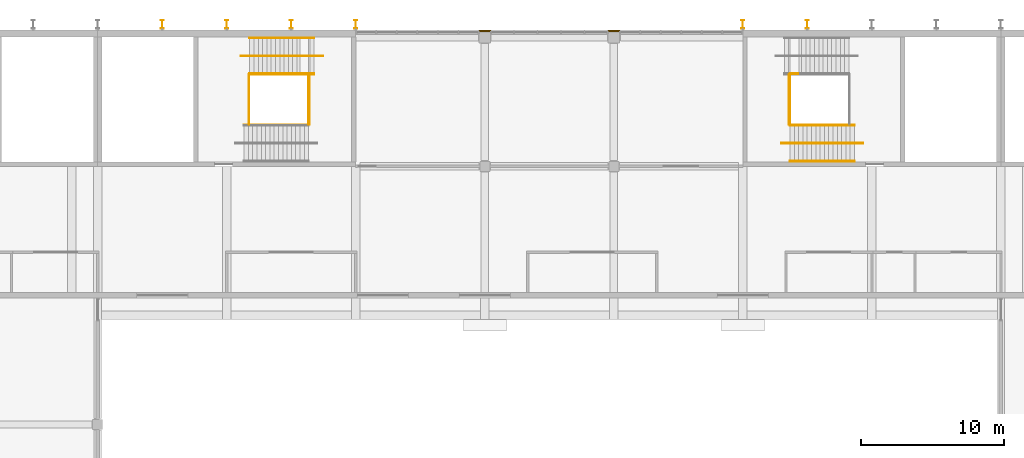
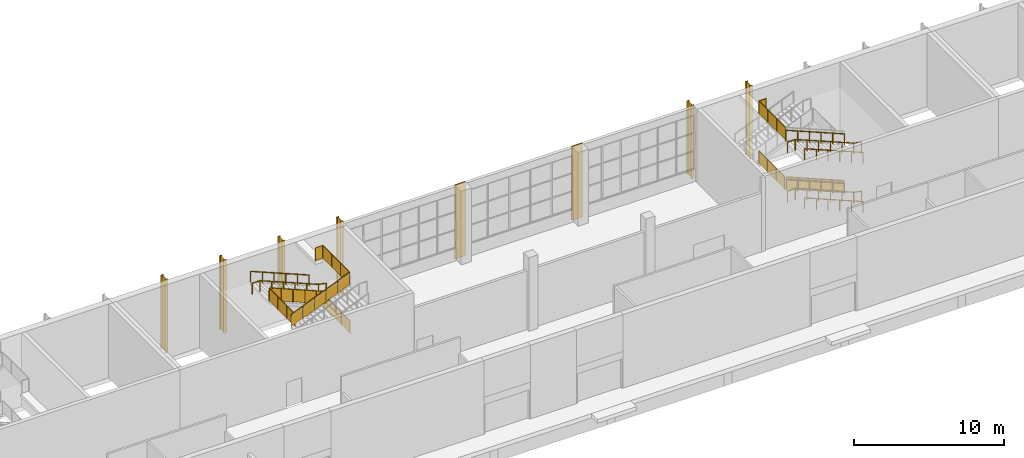
# One storey, part 86 of 89: 17 railings, 6 shading devices, 2 coverings.
"""IFC4 building model written with IfcOpenShell, lengths in metres."""

from ifc_helpers import new_model, si_unit, direction, frame, origin, origin_2d, place, context, subcontext, project, spatial, polyline, circle, i_section, outline, extrude, material, layer, layer_set, material_profile, profile_set, type_object, element, save


model = new_model("IFC4")

# Units and contexts
model_context = context("Model", 3, precision=1e-05, world=origin(), true_north=direction((0.0, 1.0)))
body_context = subcontext(model_context, "Body", "Model", "MODEL_VIEW")
ifc_project = project(units=[si_unit("LENGTHUNIT", "METRE"), si_unit("AREAUNIT", "SQUARE_METRE"), si_unit("VOLUMEUNIT", "CUBIC_METRE"), si_unit("PLANEANGLEUNIT", "RADIAN"), si_unit("MASSUNIT", "GRAM", prefix="KILO")], contexts=[model_context])

# Site, building, storey
site_placement = place(None, origin())
site = spatial("IfcSite", under=ifc_project, at=site_placement, CompositionType="ELEMENT")
building_placement = place(site_placement, origin())
building = spatial("IfcBuilding", under=site, at=building_placement, Name="Silverbay Arena", CompositionType="ELEMENT")
storey_placement = place(building_placement, frame((0.0, 0.0, 22.0)))
storey = spatial("IfcBuildingStorey", under=building, at=storey_placement, Name="L03", CompositionType="ELEMENT", Elevation=22.0)

# Coverings
ifc_material_1 = material(Name="Aluminium composite cladding", Category="aluminium")
ifc_layer = layer(ifc_material_1, 0.10009765625)
ifc_layer_set = layer_set([ifc_layer], Name="Aluminium composite cladding")
covering_type = type_object("IfcCoveringType", Name="Column cladding 100", PredefinedType="CLADDING", material=ifc_layer_set)
covering_1_placement = place(storey_placement, origin())
element("IfcCovering", 1, at=covering_1_placement, inside=storey, type_object=covering_type, Name="North column cladding L03 2", PredefinedType="CLADDING", context=body_context, shape_type="SweptSolid", body=[
    extrude(outline(polyline([(125.60009765625, 144.39990234375), (126.39990234375, 144.39990234375), (126.39990234375, 144.5), (125.60009765625, 144.5), (125.60009765625, 144.39990234375)])), origin(), (0.0, 0.0, 1.0), 6.0),
])
covering_2_placement = place(storey_placement, origin())
element("IfcCovering", 2, at=covering_2_placement, inside=storey, type_object=covering_type, Name="North column cladding L03 4", PredefinedType="CLADDING", context=body_context, shape_type="SweptSolid", body=[
    extrude(outline(polyline([(134.60009765625, 144.39990234375), (135.39990234375, 144.39990234375), (135.39990234375, 144.5), (134.60009765625, 144.5), (134.60009765625, 144.39990234375)])), origin(), (0.0, 0.0, 1.0), 6.0),
])

# Railings
ifc_material_2 = material(Name="Stainless steel", Category="steel")
railing_type_1 = type_object("IfcRailingType", Name="Stair guard 1100", PredefinedType="GUARDRAIL", material=ifc_material_2)
railing_1_placement = place(storey_placement, frame((114.10009765625, 141.425048828125, 2.125)))
element("IfcRailing", 3, at=railing_1_placement, inside=storey, type_object=railing_type_1, Name="Stair ST-N2 L03 to L04 flight 2 guard left", PredefinedType="GUARDRAIL", context=body_context, shape_type="SweptSolid", body=[
    extrude(circle(Radius=0.02392578125, at=origin_2d()), frame((0.0, 0.0, 1.076171875), z_axis=(-0.923076923077, 0.0, 0.384615384615), x_axis=(0.0, -1.0, 0.0)), (0.0, 0.0, 1.0), 4.875),
    extrude(outline(polyline([(-0.008056640625, 0.046630859375), (0.907958984375, 0.42822265625), (0.907958984375, 1.431396484375), (-0.008056640625, 1.049560546875), (-0.008056640625, 0.046630859375)])), frame((0.0, -0.0029296875, 0.0), z_axis=(0.0, 1.0, 0.0), x_axis=(-1.0, 0.0, 0.0)), (0.0, 0.0, 1.0), 0.006103515625),
    extrude(outline(polyline([(-0.008056640625, 0.421630859375), (0.907958984375, 0.80322265625), (0.907958984375, 1.806396484375), (-0.008056640625, 1.424560546875), (-0.008056640625, 0.421630859375)])), frame((-0.89990234375, -0.0029296875, 0.0), z_axis=(0.0, 1.0, 0.0), x_axis=(-1.0, 0.0, 0.0)), (0.0, 0.0, 1.0), 0.006103515625),
    extrude(outline(polyline([(-0.008056640625, 0.796630859375), (0.907958984375, 1.17822265625), (0.907958984375, 2.181396484375), (-0.008056640625, 1.799560546875), (-0.008056640625, 0.796630859375)])), frame((-1.800048828125, -0.0029296875, 0.0), z_axis=(0.0, 1.0, 0.0), x_axis=(-1.0, 0.0, 0.0)), (0.0, 0.0, 1.0), 0.006103515625),
    extrude(outline(polyline([(-0.008056640625, 1.171630859375), (0.907958984375, 1.55322265625), (0.907958984375, 2.556396484375), (-0.008056640625, 2.174560546875), (-0.008056640625, 1.171630859375)])), frame((-2.699951171875, -0.0029296875, 0.0), z_axis=(0.0, 1.0, 0.0), x_axis=(-1.0, 0.0, 0.0)), (0.0, 0.0, 1.0), 0.006103515625),
    extrude(outline(polyline([(-0.008056640625, 1.546630859375), (0.907958984375, 1.92822265625), (0.907958984375, 2.931396484375), (-0.008056640625, 2.549560546875), (-0.008056640625, 1.546630859375)])), frame((-3.60009765625, -0.0029296875, 0.0), z_axis=(0.0, 1.0, 0.0), x_axis=(-1.0, 0.0, 0.0)), (0.0, 0.0, 1.0), 0.006103515625),
    extrude(circle(Radius=0.02099609375, at=origin_2d()), origin(), (0.0, 0.0, 1.0), 1.052001953125),
    extrude(circle(Radius=0.02099609375, at=origin_2d()), frame((-0.89990234375, 0.0, 0.375)), (0.0, 0.0, 1.0), 1.052001953125),
    extrude(circle(Radius=0.02099609375, at=origin_2d()), frame((-1.800048828125, 0.0, 0.75)), (0.0, 0.0, 1.0), 1.052001953125),
    extrude(circle(Radius=0.02099609375, at=origin_2d()), frame((-2.699951171875, 0.0, 1.125)), (0.0, 0.0, 1.0), 1.052001953125),
    extrude(circle(Radius=0.02099609375, at=origin_2d()), frame((-3.60009765625, 0.0, 1.5)), (0.0, 0.0, 1.0), 1.052001953125),
    extrude(circle(Radius=0.02099609375, at=origin_2d()), frame((-4.5, 0.0, 1.875)), (0.0, 0.0, 1.0), 1.052001953125),
])
railing_2_placement = place(storey_placement, frame((109.2099609375, 137.875, 4.125)))
element("IfcRailing", 4, at=railing_2_placement, inside=storey, type_object=railing_type_1, Name="Stair ST-N2 L03 to L04 flight 3 guard right", PredefinedType="GUARDRAIL", context=body_context, shape_type="SweptSolid", body=[
    extrude(circle(Radius=0.02392578125, at=origin_2d()), frame((0.0, 0.0, 1.076171875), z_axis=(0.923076923077, 0.0, 0.384615384615), x_axis=(0.0, 1.0, 0.0)), (0.0, 0.0, 1.0), 4.875),
    extrude(outline(polyline([(-0.008056640625, 0.046630859375), (0.907958984375, 0.42822265625), (0.907958984375, 1.431396484375), (-0.008056640625, 1.049560546875), (-0.008056640625, 0.046630859375)])), frame((0.0, 0.0029296875, 0.0), z_axis=(0.0, -1.0, 0.0), x_axis=(1.0, 0.0, 0.0)), (0.0, 0.0, 1.0), 0.006103515625),
    extrude(outline(polyline([(-0.008056640625, 0.421630859375), (0.907958984375, 0.80322265625), (0.907958984375, 1.806396484375), (-0.008056640625, 1.424560546875), (-0.008056640625, 0.421630859375)])), frame((0.89990234375, 0.0029296875, 0.0), z_axis=(0.0, -1.0, 0.0), x_axis=(1.0, 0.0, 0.0)), (0.0, 0.0, 1.0), 0.006103515625),
    extrude(outline(polyline([(-0.008056640625, 0.796630859375), (0.907958984375, 1.17822265625), (0.907958984375, 2.181396484375), (-0.008056640625, 1.799560546875), (-0.008056640625, 0.796630859375)])), frame((1.800048828125, 0.0029296875, 0.0), z_axis=(0.0, -1.0, 0.0), x_axis=(1.0, 0.0, 0.0)), (0.0, 0.0, 1.0), 0.006103515625),
    extrude(outline(polyline([(-0.008056640625, 1.171630859375), (0.907958984375, 1.55322265625), (0.907958984375, 2.556396484375), (-0.008056640625, 2.174560546875), (-0.008056640625, 1.171630859375)])), frame((2.699951171875, 0.0029296875, 0.0), z_axis=(0.0, -1.0, 0.0), x_axis=(1.0, 0.0, 0.0)), (0.0, 0.0, 1.0), 0.006103515625),
    extrude(outline(polyline([(-0.008056640625, 1.546630859375), (0.907958984375, 1.92822265625), (0.907958984375, 2.931396484375), (-0.008056640625, 2.549560546875), (-0.008056640625, 1.546630859375)])), frame((3.60009765625, 0.0029296875, 0.0), z_axis=(0.0, -1.0, 0.0), x_axis=(1.0, 0.0, 0.0)), (0.0, 0.0, 1.0), 0.006103515625),
    extrude(circle(Radius=0.02099609375, at=origin_2d()), origin(), (0.0, 0.0, 1.0), 1.052001953125),
    extrude(circle(Radius=0.02099609375, at=origin_2d()), frame((0.89990234375, 0.0, 0.375)), (0.0, 0.0, 1.0), 1.052001953125),
    extrude(circle(Radius=0.02099609375, at=origin_2d()), frame((1.800048828125, 0.0, 0.75)), (0.0, 0.0, 1.0), 1.052001953125),
    extrude(circle(Radius=0.02099609375, at=origin_2d()), frame((2.699951171875, 0.0, 1.125)), (0.0, 0.0, 1.0), 1.052001953125),
    extrude(circle(Radius=0.02099609375, at=origin_2d()), frame((3.60009765625, 0.0, 1.5)), (0.0, 0.0, 1.0), 1.052001953125),
    extrude(circle(Radius=0.02099609375, at=origin_2d()), frame((4.5, 0.0, 1.875)), (0.0, 0.0, 1.0), 1.052001953125),
])
for number, where, name in (
    (5, (113.760009765625, 137.89990234375, 2.0), "Stair ST-N2 L03 to L04 landing 1 guard"),
    (6, (109.550048828125, 137.89990234375, 4.0), "Stair ST-N2 L03 to L04 landing 2 guard"),
):
    element("IfcRailing", number, at=place(storey_placement, frame(where)), inside=storey, type_object=railing_type_1, Name=name, PredefinedType="GUARDRAIL", context=body_context, shape_type="SweptSolid", body=[
        extrude(circle(Radius=0.02392578125, at=origin_2d()), frame((0.0, 0.0, 1.076171875), z_axis=(0.0, 1.0, 0.0), x_axis=(-1.0, 0.0, 0.0)), (0.0, 0.0, 1.0), 3.5),
        extrude(outline(polyline([(-0.008056640625, 0.050048828125), (1.174560546875, 0.050048828125), (1.174560546875, 1.052978515625), (-0.008056640625, 1.052978515625), (-0.008056640625, 0.050048828125)])), frame((-0.0029296875, 0.0, 0.0), z_axis=(1.0, 0.0, 0.0), x_axis=(0.0, 1.0, 0.0)), (0.0, 0.0, 1.0), 0.006103515625),
        extrude(outline(polyline([(-0.008056640625, 0.050048828125), (1.174560546875, 0.050048828125), (1.174560546875, 1.052978515625), (-0.008056640625, 1.052978515625), (-0.008056640625, 0.050048828125)])), frame((-0.0029296875, 1.166748046875, 0.0), z_axis=(1.0, 0.0, 0.0), x_axis=(0.0, 1.0, 0.0)), (0.0, 0.0, 1.0), 0.006103515625),
        extrude(outline(polyline([(-0.008056640625, 0.050048828125), (1.174560546875, 0.050048828125), (1.174560546875, 1.052978515625), (-0.008056640625, 1.052978515625), (-0.008056640625, 0.050048828125)])), frame((-0.0029296875, 2.333251953125, 0.0), z_axis=(1.0, 0.0, 0.0), x_axis=(0.0, 1.0, 0.0)), (0.0, 0.0, 1.0), 0.006103515625),
        extrude(circle(Radius=0.02099609375, at=origin_2d()), origin(), (0.0, 0.0, 1.0), 1.052001953125),
        extrude(circle(Radius=0.02099609375, at=origin_2d()), frame((0.0, 1.166748046875, 0.0)), (0.0, 0.0, 1.0), 1.052001953125),
        extrude(circle(Radius=0.02099609375, at=origin_2d()), frame((0.0, 2.333251953125, 0.0)), (0.0, 0.0, 1.0), 1.052001953125),
        extrude(circle(Radius=0.02099609375, at=origin_2d()), frame((0.0, 3.5, 0.0)), (0.0, 0.0, 1.0), 1.052001953125),
    ])
railing_3_placement = place(storey_placement, frame((113.14990234375, 141.449951171875, 6.0)))
element("IfcRailing", 7, at=railing_3_placement, inside=storey, type_object=railing_type_1, Name="Stair ST-N2 L03 to L04 landing 3 guard", PredefinedType="GUARDRAIL", context=body_context, shape_type="SweptSolid", body=[
    extrude(circle(Radius=0.02392578125, at=origin_2d()), frame((0.0, 0.0, 1.076171875), z_axis=(1.0, 0.0, 0.0), x_axis=(0.0, 1.0, 0.0)), (0.0, 0.0, 1.0), 0.56005859375),
    extrude(outline(polyline([(-0.008056640625, 0.050048828125), (0.568115234375, 0.050048828125), (0.568115234375, 1.052978515625), (-0.008056640625, 1.052978515625), (-0.008056640625, 0.050048828125)])), frame((0.0, 0.0029296875, 0.0), z_axis=(0.0, -1.0, 0.0), x_axis=(1.0, 0.0, 0.0)), (0.0, 0.0, 1.0), 0.006103515625),
    extrude(circle(Radius=0.02392578125, at=origin_2d()), frame((0.56005859375, 0.0, 1.076171875), z_axis=(0.0, -1.0, 0.0), x_axis=(1.0, 0.0, 0.0)), (0.0, 0.0, 1.0), 3.550048828125),
    extrude(outline(polyline([(-0.008056640625, 0.050048828125), (1.19140625, 0.050048828125), (1.19140625, 1.052978515625), (-0.008056640625, 1.052978515625), (-0.008056640625, 0.050048828125)])), frame((0.56298828125, 0.0, 0.0), z_axis=(-1.0, 0.0, 0.0), x_axis=(0.0, -1.0, 0.0)), (0.0, 0.0, 1.0), 0.006103515625),
    extrude(outline(polyline([(-0.008056640625, 0.050048828125), (1.19140625, 0.050048828125), (1.19140625, 1.052978515625), (-0.008056640625, 1.052978515625), (-0.008056640625, 0.050048828125)])), frame((0.56298828125, -1.183349609375, 0.0), z_axis=(-1.0, 0.0, 0.0), x_axis=(0.0, -1.0, 0.0)), (0.0, 0.0, 1.0), 0.006103515625),
    extrude(outline(polyline([(-0.008056640625, 0.050048828125), (1.19140625, 0.050048828125), (1.19140625, 1.052978515625), (-0.008056640625, 1.052978515625), (-0.008056640625, 0.050048828125)])), frame((0.56298828125, -2.36669921875, 0.0), z_axis=(-1.0, 0.0, 0.0), x_axis=(0.0, -1.0, 0.0)), (0.0, 0.0, 1.0), 0.006103515625),
    extrude(circle(Radius=0.02099609375, at=origin_2d()), origin(), (0.0, 0.0, 1.0), 1.052001953125),
    extrude(circle(Radius=0.02099609375, at=origin_2d()), frame((0.56005859375, 0.0, 0.0)), (0.0, 0.0, 1.0), 1.052001953125),
    extrude(circle(Radius=0.02099609375, at=origin_2d()), frame((0.56005859375, -1.183349609375, 0.0)), (0.0, 0.0, 1.0), 1.052001953125),
    extrude(circle(Radius=0.02099609375, at=origin_2d()), frame((0.56005859375, -2.36669921875, 0.0)), (0.0, 0.0, 1.0), 1.052001953125),
    extrude(circle(Radius=0.02099609375, at=origin_2d()), frame((0.56005859375, -3.550048828125, 0.0)), (0.0, 0.0, 1.0), 1.052001953125),
])
railing_4_placement = place(storey_placement, frame((151.7900390625, 137.875, 0.125)))
element("IfcRailing", 8, at=railing_4_placement, inside=storey, type_object=railing_type_1, Name="Stair ST-N3 L03 to L04 flight 1 guard right", PredefinedType="GUARDRAIL", context=body_context, shape_type="SweptSolid", body=[
    extrude(circle(Radius=0.02392578125, at=origin_2d()), frame((0.0, 0.0, 1.076171875), z_axis=(-0.923076923077, 0.0, 0.384615384615), x_axis=(0.0, -1.0, 0.0)), (0.0, 0.0, 1.0), 4.875),
    extrude(outline(polyline([(-0.008056640625, 0.046630859375), (0.907958984375, 0.42822265625), (0.907958984375, 1.431396484375), (-0.008056640625, 1.049560546875), (-0.008056640625, 0.046630859375)])), frame((0.0, -0.0029296875, 0.0), z_axis=(0.0, 1.0, 0.0), x_axis=(-1.0, 0.0, 0.0)), (0.0, 0.0, 1.0), 0.006103515625),
    extrude(outline(polyline([(-0.008056640625, 0.421630859375), (0.907958984375, 0.80322265625), (0.907958984375, 1.806396484375), (-0.008056640625, 1.424560546875), (-0.008056640625, 0.421630859375)])), frame((-0.89990234375, -0.0029296875, 0.0), z_axis=(0.0, 1.0, 0.0), x_axis=(-1.0, 0.0, 0.0)), (0.0, 0.0, 1.0), 0.006103515625),
    extrude(outline(polyline([(-0.008056640625, 0.796630859375), (0.907958984375, 1.17822265625), (0.907958984375, 2.181396484375), (-0.008056640625, 1.799560546875), (-0.008056640625, 0.796630859375)])), frame((-1.800048828125, -0.0029296875, 0.0), z_axis=(0.0, 1.0, 0.0), x_axis=(-1.0, 0.0, 0.0)), (0.0, 0.0, 1.0), 0.006103515625),
    extrude(outline(polyline([(-0.008056640625, 1.171630859375), (0.907958984375, 1.55322265625), (0.907958984375, 2.556396484375), (-0.008056640625, 2.174560546875), (-0.008056640625, 1.171630859375)])), frame((-2.699951171875, -0.0029296875, 0.0), z_axis=(0.0, 1.0, 0.0), x_axis=(-1.0, 0.0, 0.0)), (0.0, 0.0, 1.0), 0.006103515625),
    extrude(outline(polyline([(-0.008056640625, 1.546630859375), (0.907958984375, 1.92822265625), (0.907958984375, 2.931396484375), (-0.008056640625, 2.549560546875), (-0.008056640625, 1.546630859375)])), frame((-3.60009765625, -0.0029296875, 0.0), z_axis=(0.0, 1.0, 0.0), x_axis=(-1.0, 0.0, 0.0)), (0.0, 0.0, 1.0), 0.006103515625),
    extrude(circle(Radius=0.02099609375, at=origin_2d()), origin(), (0.0, 0.0, 1.0), 1.052001953125),
    extrude(circle(Radius=0.02099609375, at=origin_2d()), frame((-0.89990234375, 0.0, 0.375)), (0.0, 0.0, 1.0), 1.052001953125),
    extrude(circle(Radius=0.02099609375, at=origin_2d()), frame((-1.800048828125, 0.0, 0.75)), (0.0, 0.0, 1.0), 1.052001953125),
    extrude(circle(Radius=0.02099609375, at=origin_2d()), frame((-2.699951171875, 0.0, 1.125)), (0.0, 0.0, 1.0), 1.052001953125),
    extrude(circle(Radius=0.02099609375, at=origin_2d()), frame((-3.60009765625, 0.0, 1.5)), (0.0, 0.0, 1.0), 1.052001953125),
    extrude(circle(Radius=0.02099609375, at=origin_2d()), frame((-4.5, 0.0, 1.875)), (0.0, 0.0, 1.0), 1.052001953125),
])
railing_5_placement = place(storey_placement, frame((147.239990234375, 137.89990234375, 2.0)))
element("IfcRailing", 9, at=railing_5_placement, inside=storey, type_object=railing_type_1, Name="Stair ST-N3 L03 to L04 landing 1 guard", PredefinedType="GUARDRAIL", context=body_context, shape_type="SweptSolid", body=[
    extrude(circle(Radius=0.02392578125, at=origin_2d()), frame((0.0, 0.0, 1.076171875), z_axis=(0.0, 1.0, 0.0), x_axis=(-1.0, 0.0, 0.0)), (0.0, 0.0, 1.0), 3.5),
    extrude(outline(polyline([(-0.008056640625, 0.050048828125), (1.174560546875, 0.050048828125), (1.174560546875, 1.052978515625), (-0.008056640625, 1.052978515625), (-0.008056640625, 0.050048828125)])), frame((-0.0029296875, 0.0, 0.0), z_axis=(1.0, 0.0, 0.0), x_axis=(0.0, 1.0, 0.0)), (0.0, 0.0, 1.0), 0.006103515625),
    extrude(outline(polyline([(-0.008056640625, 0.050048828125), (1.174560546875, 0.050048828125), (1.174560546875, 1.052978515625), (-0.008056640625, 1.052978515625), (-0.008056640625, 0.050048828125)])), frame((-0.0029296875, 1.166748046875, 0.0), z_axis=(1.0, 0.0, 0.0), x_axis=(0.0, 1.0, 0.0)), (0.0, 0.0, 1.0), 0.006103515625),
    extrude(outline(polyline([(-0.008056640625, 0.050048828125), (1.174560546875, 0.050048828125), (1.174560546875, 1.052978515625), (-0.008056640625, 1.052978515625), (-0.008056640625, 0.050048828125)])), frame((-0.0029296875, 2.333251953125, 0.0), z_axis=(1.0, 0.0, 0.0), x_axis=(0.0, 1.0, 0.0)), (0.0, 0.0, 1.0), 0.006103515625),
    extrude(circle(Radius=0.02099609375, at=origin_2d()), origin(), (0.0, 0.0, 1.0), 1.052001953125),
    extrude(circle(Radius=0.02099609375, at=origin_2d()), frame((0.0, 1.166748046875, 0.0)), (0.0, 0.0, 1.0), 1.052001953125),
    extrude(circle(Radius=0.02099609375, at=origin_2d()), frame((0.0, 2.333251953125, 0.0)), (0.0, 0.0, 1.0), 1.052001953125),
    extrude(circle(Radius=0.02099609375, at=origin_2d()), frame((0.0, 3.5, 0.0)), (0.0, 0.0, 1.0), 1.052001953125),
])
railing_6_placement = place(storey_placement, frame((147.85009765625, 141.449951171875, 6.0)))
element("IfcRailing", 10, at=railing_6_placement, inside=storey, type_object=railing_type_1, Name="Stair ST-N3 L03 to L04 landing 3 guard", PredefinedType="GUARDRAIL", context=body_context, shape_type="SweptSolid", body=[
    extrude(circle(Radius=0.02392578125, at=origin_2d()), frame((0.0, 0.0, 1.076171875), z_axis=(-1.0, 0.0, 0.0), x_axis=(0.0, -1.0, 0.0)), (0.0, 0.0, 1.0), 0.56005859375),
    extrude(outline(polyline([(-0.008056640625, 0.050048828125), (0.568115234375, 0.050048828125), (0.568115234375, 1.052978515625), (-0.008056640625, 1.052978515625), (-0.008056640625, 0.050048828125)])), frame((0.0, -0.0029296875, 0.0), z_axis=(0.0, 1.0, 0.0), x_axis=(-1.0, 0.0, 0.0)), (0.0, 0.0, 1.0), 0.006103515625),
    extrude(circle(Radius=0.02392578125, at=origin_2d()), frame((-0.56005859375, 0.0, 1.076171875), z_axis=(0.0, -1.0, 0.0), x_axis=(1.0, 0.0, 0.0)), (0.0, 0.0, 1.0), 3.550048828125),
    extrude(outline(polyline([(-0.008056640625, 0.050048828125), (1.19140625, 0.050048828125), (1.19140625, 1.052978515625), (-0.008056640625, 1.052978515625), (-0.008056640625, 0.050048828125)])), frame((-0.55712890625, 0.0, 0.0), z_axis=(-1.0, 0.0, 0.0), x_axis=(0.0, -1.0, 0.0)), (0.0, 0.0, 1.0), 0.006103515625),
    extrude(outline(polyline([(-0.008056640625, 0.050048828125), (1.19140625, 0.050048828125), (1.19140625, 1.052978515625), (-0.008056640625, 1.052978515625), (-0.008056640625, 0.050048828125)])), frame((-0.55712890625, -1.183349609375, 0.0), z_axis=(-1.0, 0.0, 0.0), x_axis=(0.0, -1.0, 0.0)), (0.0, 0.0, 1.0), 0.006103515625),
    extrude(outline(polyline([(-0.008056640625, 0.050048828125), (1.19140625, 0.050048828125), (1.19140625, 1.052978515625), (-0.008056640625, 1.052978515625), (-0.008056640625, 0.050048828125)])), frame((-0.55712890625, -2.36669921875, 0.0), z_axis=(-1.0, 0.0, 0.0), x_axis=(0.0, -1.0, 0.0)), (0.0, 0.0, 1.0), 0.006103515625),
    extrude(circle(Radius=0.02099609375, at=origin_2d()), origin(), (0.0, 0.0, 1.0), 1.052001953125),
    extrude(circle(Radius=0.02099609375, at=origin_2d()), frame((-0.56005859375, 0.0, 0.0)), (0.0, 0.0, 1.0), 1.052001953125),
    extrude(circle(Radius=0.02099609375, at=origin_2d()), frame((-0.56005859375, -1.183349609375, 0.0)), (0.0, 0.0, 1.0), 1.052001953125),
    extrude(circle(Radius=0.02099609375, at=origin_2d()), frame((-0.56005859375, -2.36669921875, 0.0)), (0.0, 0.0, 1.0), 1.052001953125),
    extrude(circle(Radius=0.02099609375, at=origin_2d()), frame((-0.56005859375, -3.550048828125, 0.0)), (0.0, 0.0, 1.0), 1.052001953125),
])
ifc_material_3 = material(Name="Stainless steel", Category="steel")
railing_type_2 = type_object("IfcRailingType", Name="Stair handrail 900", PredefinedType="HANDRAIL", material=ifc_material_3)
for number, where, name in (
    (11, (114.10009765625, 141.464111328125, 2.125), "Stair ST-N2 L03 to L04 flight 2 handrail left"),
    (12, (114.10009765625, 143.949951171875, 2.125), "Stair ST-N2 L03 to L04 flight 2 handrail right"),
):
    element("IfcRailing", number, at=place(storey_placement, frame(where)), inside=storey, type_object=railing_type_2, Name=name, PredefinedType="HANDRAIL", context=body_context, shape_type="SweptSolid", body=[
        extrude(circle(Radius=0.02392578125, at=origin_2d()), frame((0.0, 0.0, 0.8759765625), z_axis=(-0.923076923077, 0.0, 0.384615384615), x_axis=(0.0, -1.0, 0.0)), (0.0, 0.0, 1.0), 4.875),
        extrude(circle(Radius=0.02099609375, at=origin_2d()), origin(), (0.0, 0.0, 1.0), 0.851806640625),
        extrude(circle(Radius=0.02099609375, at=origin_2d()), frame((-0.89990234375, 0.0, 0.375)), (0.0, 0.0, 1.0), 0.851806640625),
        extrude(circle(Radius=0.02099609375, at=origin_2d()), frame((-1.800048828125, 0.0, 0.75)), (0.0, 0.0, 1.0), 0.851806640625),
        extrude(circle(Radius=0.02099609375, at=origin_2d()), frame((-2.699951171875, 0.0, 1.125)), (0.0, 0.0, 1.0), 0.851806640625),
        extrude(circle(Radius=0.02099609375, at=origin_2d()), frame((-3.60009765625, 0.0, 1.5)), (0.0, 0.0, 1.0), 0.851806640625),
        extrude(circle(Radius=0.02099609375, at=origin_2d()), frame((-4.5, 0.0, 1.875)), (0.0, 0.0, 1.0), 0.851806640625),
    ])
railing_7_placement = place(storey_placement, frame((114.699951171875, 142.699951171875, 2.0)))
element("IfcRailing", 13, at=railing_7_placement, inside=storey, type_object=railing_type_2, Name="Stair ST-N2 L03 to L04 flight 2 central handrail", PredefinedType="HANDRAIL", context=body_context, shape_type="SweptSolid", body=[
    extrude(circle(Radius=0.02392578125, at=origin_2d()), frame((0.0, 0.0, 0.8759765625), z_axis=(-0.978970474113, 0.0, 0.20400198728), x_axis=(0.0, -1.0, 0.0)), (0.0, 0.0, 1.0), 0.61279296875),
    extrude(circle(Radius=0.02392578125, at=origin_2d()), frame((-0.599853515625, 0.0, 1.0009765625), z_axis=(-0.923076923077, 0.0, 0.384615384615), x_axis=(0.0, -1.0, 0.0)), (0.0, 0.0, 1.0), 4.875),
    extrude(circle(Radius=0.02392578125, at=origin_2d()), frame((-5.099853515625, 0.0, 2.8759765625), z_axis=(-1.0, 0.0, 0.0), x_axis=(0.0, -1.0, 0.0)), (0.0, 0.0, 1.0), 0.60009765625),
    extrude(circle(Radius=0.02099609375, at=origin_2d()), origin(), (0.0, 0.0, 1.0), 0.851806640625),
    extrude(circle(Radius=0.02099609375, at=origin_2d()), frame((-0.599853515625, 0.0, 0.125)), (0.0, 0.0, 1.0), 0.851806640625),
    extrude(circle(Radius=0.02099609375, at=origin_2d()), frame((-1.499755859375, 0.0, 0.5)), (0.0, 0.0, 1.0), 0.851806640625),
    extrude(circle(Radius=0.02099609375, at=origin_2d()), frame((-2.39990234375, 0.0, 0.875)), (0.0, 0.0, 1.0), 0.851806640625),
    extrude(circle(Radius=0.02099609375, at=origin_2d()), frame((-3.2998046875, 0.0, 1.25)), (0.0, 0.0, 1.0), 0.851806640625),
    extrude(circle(Radius=0.02099609375, at=origin_2d()), frame((-4.199951171875, 0.0, 1.625)), (0.0, 0.0, 1.0), 0.851806640625),
    extrude(circle(Radius=0.02099609375, at=origin_2d()), frame((-5.099853515625, 0.0, 2.0)), (0.0, 0.0, 1.0), 0.851806640625),
    extrude(circle(Radius=0.02099609375, at=origin_2d()), frame((-5.699951171875, 0.0, 2.0)), (0.0, 0.0, 1.0), 0.851806640625),
])
for number, where, name in (
    (14, (151.7900390625, 135.35009765625, 0.125), "Stair ST-N3 L03 to L04 flight 1 handrail left"),
    (15, (151.7900390625, 137.8359375, 0.125), "Stair ST-N3 L03 to L04 flight 1 handrail right"),
):
    element("IfcRailing", number, at=place(storey_placement, frame(where)), inside=storey, type_object=railing_type_2, Name=name, PredefinedType="HANDRAIL", context=body_context, shape_type="SweptSolid", body=[
        extrude(circle(Radius=0.02392578125, at=origin_2d()), frame((0.0, 0.0, 0.8759765625), z_axis=(-0.923076923077, 0.0, 0.384615384615), x_axis=(0.0, -1.0, 0.0)), (0.0, 0.0, 1.0), 4.875),
        extrude(circle(Radius=0.02099609375, at=origin_2d()), origin(), (0.0, 0.0, 1.0), 0.851806640625),
        extrude(circle(Radius=0.02099609375, at=origin_2d()), frame((-0.89990234375, 0.0, 0.375)), (0.0, 0.0, 1.0), 0.851806640625),
        extrude(circle(Radius=0.02099609375, at=origin_2d()), frame((-1.800048828125, 0.0, 0.75)), (0.0, 0.0, 1.0), 0.851806640625),
        extrude(circle(Radius=0.02099609375, at=origin_2d()), frame((-2.699951171875, 0.0, 1.125)), (0.0, 0.0, 1.0), 0.851806640625),
        extrude(circle(Radius=0.02099609375, at=origin_2d()), frame((-3.60009765625, 0.0, 1.5)), (0.0, 0.0, 1.0), 0.851806640625),
        extrude(circle(Radius=0.02099609375, at=origin_2d()), frame((-4.5, 0.0, 1.875)), (0.0, 0.0, 1.0), 0.851806640625),
    ])
railing_8_placement = place(storey_placement, frame((152.389892578125, 136.60009765625, 0.0)))
element("IfcRailing", 16, at=railing_8_placement, inside=storey, type_object=railing_type_2, Name="Stair ST-N3 L03 to L04 flight 1 central handrail", PredefinedType="HANDRAIL", context=body_context, shape_type="SweptSolid", body=[
    extrude(circle(Radius=0.02392578125, at=origin_2d()), frame((0.0, 0.0, 0.8759765625), z_axis=(-0.978970474113, 0.0, 0.20400198728), x_axis=(0.0, -1.0, 0.0)), (0.0, 0.0, 1.0), 0.61279296875),
    extrude(circle(Radius=0.02392578125, at=origin_2d()), frame((-0.599853515625, 0.0, 1.0009765625), z_axis=(-0.923076923077, 0.0, 0.384615384615), x_axis=(0.0, -1.0, 0.0)), (0.0, 0.0, 1.0), 4.875),
    extrude(circle(Radius=0.02392578125, at=origin_2d()), frame((-5.099853515625, 0.0, 2.8759765625), z_axis=(-1.0, 0.0, 0.0), x_axis=(0.0, -1.0, 0.0)), (0.0, 0.0, 1.0), 0.60009765625),
    extrude(circle(Radius=0.02099609375, at=origin_2d()), origin(), (0.0, 0.0, 1.0), 0.851806640625),
    extrude(circle(Radius=0.02099609375, at=origin_2d()), frame((-0.599853515625, 0.0, 0.125)), (0.0, 0.0, 1.0), 0.851806640625),
    extrude(circle(Radius=0.02099609375, at=origin_2d()), frame((-1.499755859375, 0.0, 0.5)), (0.0, 0.0, 1.0), 0.851806640625),
    extrude(circle(Radius=0.02099609375, at=origin_2d()), frame((-2.39990234375, 0.0, 0.875)), (0.0, 0.0, 1.0), 0.851806640625),
    extrude(circle(Radius=0.02099609375, at=origin_2d()), frame((-3.2998046875, 0.0, 1.25)), (0.0, 0.0, 1.0), 0.851806640625),
    extrude(circle(Radius=0.02099609375, at=origin_2d()), frame((-4.199951171875, 0.0, 1.625)), (0.0, 0.0, 1.0), 0.851806640625),
    extrude(circle(Radius=0.02099609375, at=origin_2d()), frame((-5.099853515625, 0.0, 2.0)), (0.0, 0.0, 1.0), 0.851806640625),
    extrude(circle(Radius=0.02099609375, at=origin_2d()), frame((-5.699951171875, 0.0, 2.0)), (0.0, 0.0, 1.0), 0.851806640625),
])
for number, where, name in (
    (17, (151.7900390625, 135.35009765625, 4.125), "Stair ST-N3 L03 to L04 flight 3 handrail left"),
    (18, (151.7900390625, 137.8359375, 4.125), "Stair ST-N3 L03 to L04 flight 3 handrail right"),
):
    element("IfcRailing", number, at=place(storey_placement, frame(where)), inside=storey, type_object=railing_type_2, Name=name, PredefinedType="HANDRAIL", context=body_context, shape_type="SweptSolid", body=[
        extrude(circle(Radius=0.02392578125, at=origin_2d()), frame((0.0, 0.0, 0.8759765625), z_axis=(-0.923076923077, 0.0, 0.384615384615), x_axis=(0.0, -1.0, 0.0)), (0.0, 0.0, 1.0), 4.875),
        extrude(circle(Radius=0.02099609375, at=origin_2d()), origin(), (0.0, 0.0, 1.0), 0.851806640625),
        extrude(circle(Radius=0.02099609375, at=origin_2d()), frame((-0.89990234375, 0.0, 0.375)), (0.0, 0.0, 1.0), 0.851806640625),
        extrude(circle(Radius=0.02099609375, at=origin_2d()), frame((-1.800048828125, 0.0, 0.75)), (0.0, 0.0, 1.0), 0.851806640625),
        extrude(circle(Radius=0.02099609375, at=origin_2d()), frame((-2.699951171875, 0.0, 1.125)), (0.0, 0.0, 1.0), 0.851806640625),
        extrude(circle(Radius=0.02099609375, at=origin_2d()), frame((-3.60009765625, 0.0, 1.5)), (0.0, 0.0, 1.0), 0.851806640625),
        extrude(circle(Radius=0.02099609375, at=origin_2d()), frame((-4.5, 0.0, 1.875)), (0.0, 0.0, 1.0), 0.851806640625),
    ])
railing_9_placement = place(storey_placement, frame((152.389892578125, 136.60009765625, 4.0)))
element("IfcRailing", 19, at=railing_9_placement, inside=storey, type_object=railing_type_2, Name="Stair ST-N3 L03 to L04 flight 3 central handrail", PredefinedType="HANDRAIL", context=body_context, shape_type="SweptSolid", body=[
    extrude(circle(Radius=0.02392578125, at=origin_2d()), frame((0.0, 0.0, 0.8759765625), z_axis=(-0.978970474113, 0.0, 0.20400198728), x_axis=(0.0, -1.0, 0.0)), (0.0, 0.0, 1.0), 0.61279296875),
    extrude(circle(Radius=0.02392578125, at=origin_2d()), frame((-0.599853515625, 0.0, 1.0009765625), z_axis=(-0.923076923077, 0.0, 0.384615384615), x_axis=(0.0, -1.0, 0.0)), (0.0, 0.0, 1.0), 4.875),
    extrude(circle(Radius=0.02392578125, at=origin_2d()), frame((-5.099853515625, 0.0, 2.8759765625), z_axis=(-1.0, 0.0, 0.0), x_axis=(0.0, -1.0, 0.0)), (0.0, 0.0, 1.0), 0.60009765625),
    extrude(circle(Radius=0.02099609375, at=origin_2d()), origin(), (0.0, 0.0, 1.0), 0.851806640625),
    extrude(circle(Radius=0.02099609375, at=origin_2d()), frame((-0.599853515625, 0.0, 0.125)), (0.0, 0.0, 1.0), 0.851806640625),
    extrude(circle(Radius=0.02099609375, at=origin_2d()), frame((-1.499755859375, 0.0, 0.5)), (0.0, 0.0, 1.0), 0.851806640625),
    extrude(circle(Radius=0.02099609375, at=origin_2d()), frame((-2.39990234375, 0.0, 0.875)), (0.0, 0.0, 1.0), 0.851806640625),
    extrude(circle(Radius=0.02099609375, at=origin_2d()), frame((-3.2998046875, 0.0, 1.25)), (0.0, 0.0, 1.0), 0.851806640625),
    extrude(circle(Radius=0.02099609375, at=origin_2d()), frame((-4.199951171875, 0.0, 1.625)), (0.0, 0.0, 1.0), 0.851806640625),
    extrude(circle(Radius=0.02099609375, at=origin_2d()), frame((-5.099853515625, 0.0, 2.0)), (0.0, 0.0, 1.0), 0.851806640625),
    extrude(circle(Radius=0.02099609375, at=origin_2d()), frame((-5.699951171875, 0.0, 2.0)), (0.0, 0.0, 1.0), 0.851806640625),
])

# Shading devices
ifc_material_4 = material(Name="Steel S355", Category="steel")
ifc_material_profile = material_profile(ifc_material_4, i_section(OverallWidth=0.2275390625, OverallDepth=0.6025390625, WebThickness=0.010498046875, FlangeThickness=0.014892578125, at=origin_2d()), Name="UB 610x229x101")
ifc_profile_set = profile_set([ifc_material_profile], Name="Steel S355")
shading_device_type = type_object("IfcShadingDeviceType", Name="Steel fin UB 610x229x101", PredefinedType="USERDEFINED", material=ifc_profile_set)
for number, where, z_axis, x_axis, name in (
    (20, (103.5, 144.9013671875, 0.0), (0.0, 0.0, 1.0), (1.0, 0.0, 0.0), "Steel fin N L03 11"),
    (21, (108.0, 144.9013671875, 0.0), (0.0, 0.0, 1.0), (1.0, 0.0, 0.0), "Steel fin N L03 12"),
    (22, (112.5, 144.9013671875, 0.0), (0.0, 0.0, 1.0), (1.0, 0.0, 0.0), "Steel fin N L03 13"),
    (23, (117.0, 144.9013671875, 0.0), (0.0, 0.0, 1.0), (1.0, 0.0, 0.0), "Steel fin N L03 14"),
    (24, (144.0, 144.9013671875, 0.0), (0.0, 0.0, 1.0), (1.0, 0.0, 0.0), "Steel fin N L03 20"),
    (25, (148.5, 144.9013671875, 0.0), (0.0, 0.0, 1.0), (1.0, 0.0, 0.0), "Steel fin N L03 21"),
):
    element("IfcShadingDevice", number, at=place(storey_placement, frame(where, z_axis=z_axis, x_axis=x_axis)), inside=storey, type_object=shading_device_type, Name=name, ObjectType="FIN", PredefinedType="USERDEFINED", context=body_context, shape_type="SweptSolid", body=[
        extrude(i_section(OverallWidth=0.2275390625, OverallDepth=0.6025390625, WebThickness=0.010498046875, FlangeThickness=0.014892578125, at=origin_2d()), origin(), (0.0, 0.0, 1.0), 6.0),
    ])

save(model, "model.ifc")
